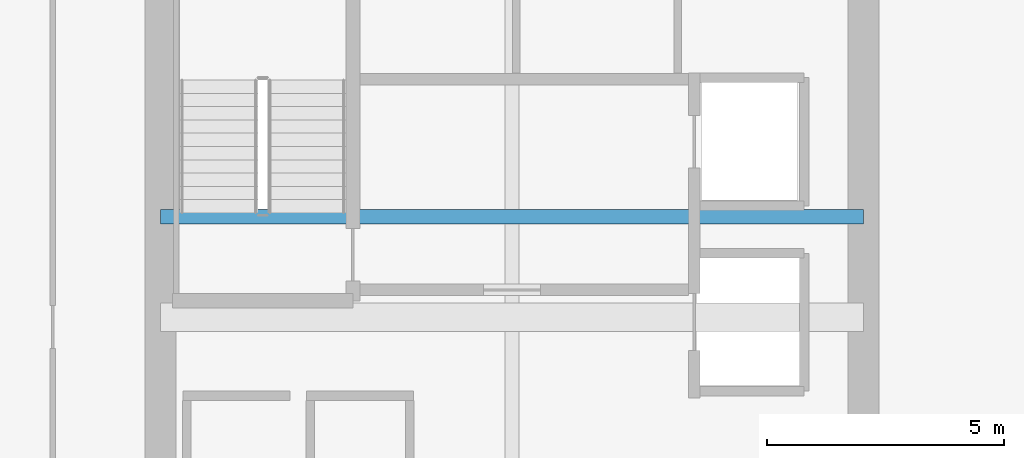
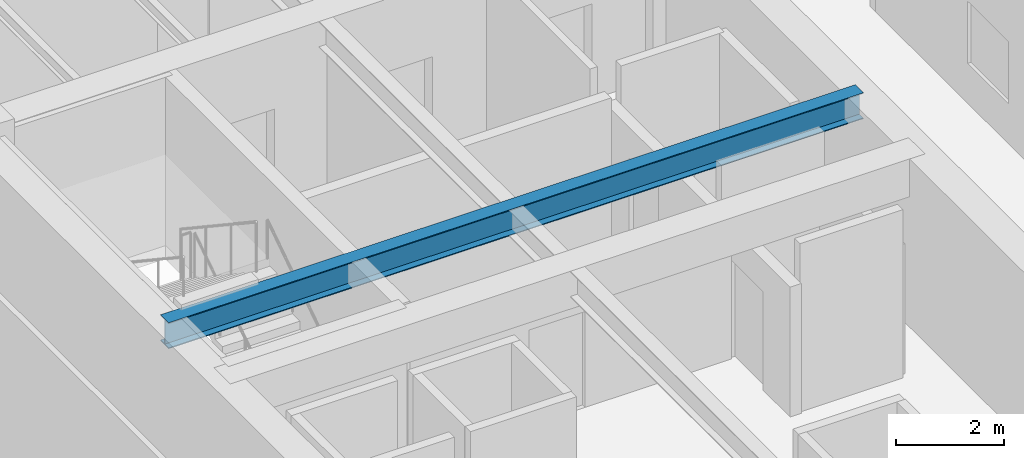
# One storey, part 9 of 30: 1 beam.
"""IFC4 building model written with IfcOpenShell, lengths in metres."""

from ifc_helpers import new_model, si_unit, direction, frame, origin, origin_2d, place, context, subcontext, project, spatial, i_section, extrude, source, transform, mapped, material, material_profile, profile_set, type_object, type_shapes, element, save


model = new_model("IFC4")

# Units and contexts
model_context = context("Model", 3, precision=1e-05, world=origin(), true_north=direction((0.0, 1.0)))
body_context = subcontext(model_context, "Body", "Model", "MODEL_VIEW")
ifc_project = project(units=[si_unit("LENGTHUNIT", "METRE"), si_unit("AREAUNIT", "SQUARE_METRE"), si_unit("VOLUMEUNIT", "CUBIC_METRE"), si_unit("PLANEANGLEUNIT", "RADIAN"), si_unit("MASSUNIT", "GRAM", prefix="KILO")], contexts=[model_context])

# Site, building, storey
site_placement = place(None, origin())
site = spatial("IfcSite", under=ifc_project, at=site_placement, CompositionType="ELEMENT")
building_placement = place(site_placement, origin())
building = spatial("IfcBuilding", under=site, at=building_placement, Name="Haelvirn Gate Laboratories", CompositionType="ELEMENT")
storey_placement = place(building_placement, frame((0.0, 0.0, 183.0)))
storey = spatial("IfcBuildingStorey", under=building, at=storey_placement, Name="L44", CompositionType="ELEMENT", Elevation=183.0)

# Beam
ifc_material = material(Name="Steel SM355", Category="steel")
ifc_material_profile = material_profile(ifc_material, i_section(OverallWidth=0.300048828125, OverallDepth=0.587890625, WebThickness=0.011962890625, FlangeThickness=0.02001953125, at=origin_2d()), Name="H-588x300x12x20")
ifc_profile_set = profile_set([ifc_material_profile], Name="Steel SM355")
beam_type = type_object("IfcBeamType", Name="BM-G-588", PredefinedType="BEAM", material=ifc_profile_set)
shared_shape = source(origin(), body_context, "Body", "SweptSolid", [
    extrude(i_section(OverallWidth=0.300048828125, OverallDepth=0.587890625, WebThickness=0.011962890625, FlangeThickness=0.02001953125, at=origin_2d()), origin(), (0.0, 0.0, 1.0), 14.800048828125),
])
type_shapes(beam_type, [shared_shape])
beam_placement = place(storey_placement, frame((7.39990234375, 26.6201171875, 3.49609375), z_axis=(1.0, 0.0, 0.0), x_axis=(0.0, 1.0, 0.0)))
element("IfcBeam", 1, at=beam_placement, inside=storey, type_object=beam_type, Name="L44 Stair ST1 Landing Header", PredefinedType="BEAM", context=body_context, shape_type="MappedRepresentation", body=[
    mapped(shared_shape, transform((0.0, 0.0, 0.0), scale=1.0)),
])

save(model, "model.ifc")
